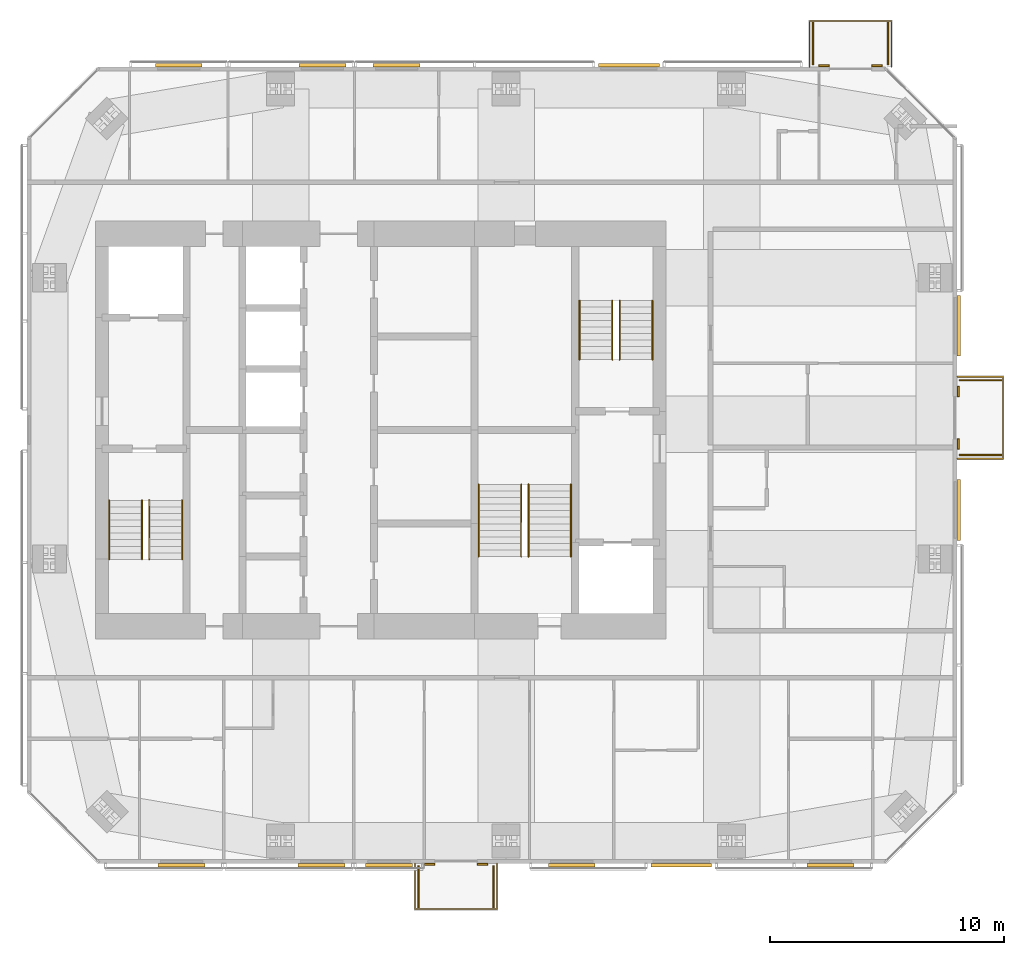
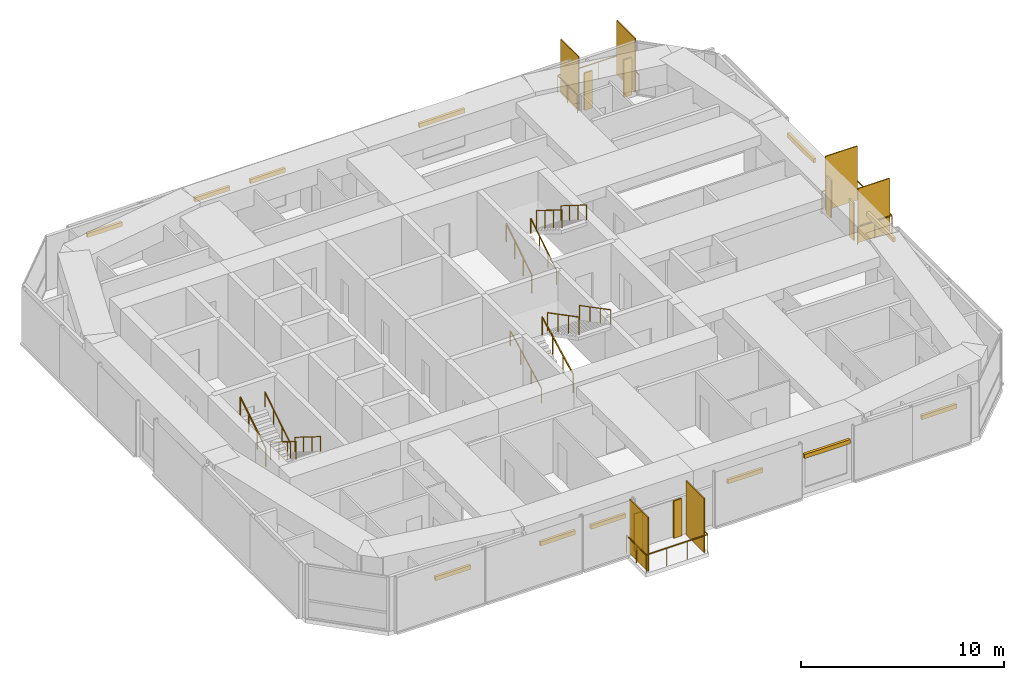
# One storey, part 18 of 18: 24 shading devices, 15 railings.
"""IFC4 building model written with IfcOpenShell, lengths in metres."""

from ifc_helpers import new_model, si_unit, direction, frame, origin, origin_2d, place, context, subcontext, project, spatial, rectangle, circle, extrude, material, layer, layer_set, constituent, constituent_set, type_object, element, save


model = new_model("IFC4")

# Units and contexts
model_context = context("Model", 3, precision=1e-05, world=origin(), true_north=direction((0.0, 1.0)))
body_context = subcontext(model_context, "Body", "Model", "MODEL_VIEW")
ifc_project = project(units=[si_unit("LENGTHUNIT", "METRE"), si_unit("AREAUNIT", "SQUARE_METRE"), si_unit("VOLUMEUNIT", "CUBIC_METRE"), si_unit("PLANEANGLEUNIT", "RADIAN"), si_unit("MASSUNIT", "GRAM", prefix="KILO")], contexts=[model_context])

# Site, building, storey
site_placement = place(None, origin())
site = spatial("IfcSite", under=ifc_project, at=site_placement, CompositionType="ELEMENT")
building_placement = place(site_placement, origin())
building = spatial("IfcBuilding", under=site, at=building_placement, Name="Jalousie Tower", CompositionType="ELEMENT")
storey_placement = place(building_placement, frame((0.0, 0.0, 256.449951171875)))
storey = spatial("IfcBuildingStorey", under=building, at=storey_placement, Name="L70", CompositionType="ELEMENT", Elevation=256.449951171875)

# Shading devices
ifc_material_1 = material(Name="Aluminium impact-rated louvred storm shutter", Category="aluminium")
shading_device_type_1 = type_object("IfcShadingDeviceType", Name="BI-FOLD STORM SHUTTER 900x2250", PredefinedType="SHUTTER", material=ifc_material_1)
for number, where, z_axis, x_axis, name in (
    (1, (33.985107421875, -0.0400390625, 0.0), (0.0, 0.0, 1.0), (1.0, 0.0, 0.0), "Balcony storm shutter L70"),
    (2, (36.235107421875, -0.0400390625, 0.0), (0.0, 0.0, 1.0), (1.0, 0.0, 0.0), "Balcony storm shutter L70"),
    (3, (56.5400390625, 17.89990234375, 0.0), (0.0, 0.0, 1.0), (0.0, 1.0, 0.0), "Balcony storm shutter L70"),
    (4, (56.5400390625, 20.14990234375, 0.0), (0.0, 0.0, 1.0), (0.0, 1.0, 0.0), "Balcony storm shutter L70"),
    (5, (53.07373046875, 34.0400390625, 0.0), (0.0, 0.0, 1.0), (-1.0, 0.0, 0.0), "Balcony storm shutter L70"),
    (6, (50.82373046875, 34.0400390625, 0.0), (0.0, 0.0, 1.0), (-1.0, 0.0, 0.0), "Balcony storm shutter L70"),
):
    element("IfcShadingDevice", number, at=place(storey_placement, frame(where, z_axis=z_axis, x_axis=x_axis)), inside=storey, type_object=shading_device_type_1, Name=name, PredefinedType="SHUTTER", context=body_context, shape_type="SweptSolid", body=[
        extrude(rectangle(XDim=0.449951171875, YDim=0.080078125, at=origin_2d()), origin(), (0.0, 0.0, 1.0), 2.25),
    ])

# Railings
ifc_material_2 = material(Name="Powder-coated aluminium fretwork", Category="aluminium")
railing_type_1 = type_object("IfcRailingType", Name="FRETWORK BALUSTRADE 1100", PredefinedType="BALUSTRADE", material=ifc_material_2)
railing_1_placement = place(storey_placement, frame((33.360107421875, 0.0, 0.0)))
element("IfcRailing", 7, at=railing_1_placement, inside=storey, type_object=railing_type_1, Name="Balcony fretwork balustrade L70", PredefinedType="BALUSTRADE", context=body_context, shape_type="SweptSolid", body=[
    extrude(rectangle(XDim=0.048095703125, YDim=0.048095703125, at=origin_2d()), frame((0.0, 0.0, 1.076171875), z_axis=(0.0, -1.0, 0.0), x_axis=(1.0, 0.0, 0.0)), (0.0, 0.0, 1.0), 1.949951171875),
    extrude(rectangle(XDim=0.048095703125, YDim=0.048095703125, at=origin_2d()), frame((0.0, -1.949951171875, 1.076171875), z_axis=(1.0, 0.0, 0.0), x_axis=(0.0, 1.0, 0.0)), (0.0, 0.0, 1.0), 3.5),
    extrude(rectangle(XDim=0.048095703125, YDim=0.048095703125, at=origin_2d()), frame((3.5, -1.949951171875, 1.076171875), z_axis=(0.0, 1.0, 0.0), x_axis=(-1.0, 0.0, 0.0)), (0.0, 0.0, 1.0), 1.949951171875),
    extrude(circle(Radius=0.02099609375, at=origin_2d()), origin(), (0.0, 0.0, 1.0), 1.052001953125),
    extrude(circle(Radius=0.02099609375, at=origin_2d()), frame((0.0, -0.97509765625, 0.0)), (0.0, 0.0, 1.0), 1.052001953125),
    extrude(circle(Radius=0.02099609375, at=origin_2d()), frame((0.0, -1.949951171875, 0.0)), (0.0, 0.0, 1.0), 1.052001953125),
    extrude(circle(Radius=0.02099609375, at=origin_2d()), frame((1.166748046875, -1.949951171875, 0.0)), (0.0, 0.0, 1.0), 1.052001953125),
    extrude(circle(Radius=0.02099609375, at=origin_2d()), frame((2.333251953125, -1.949951171875, 0.0)), (0.0, 0.0, 1.0), 1.052001953125),
    extrude(circle(Radius=0.02099609375, at=origin_2d()), frame((3.5, -1.949951171875, 0.0)), (0.0, 0.0, 1.0), 1.052001953125),
    extrude(circle(Radius=0.02099609375, at=origin_2d()), frame((3.5, -0.97509765625, 0.0)), (0.0, 0.0, 1.0), 1.052001953125),
    extrude(circle(Radius=0.02099609375, at=origin_2d()), frame((3.5, 0.0, 0.0)), (0.0, 0.0, 1.0), 1.052001953125),
])
railing_2_placement = place(storey_placement, frame((56.5, 17.27490234375, 0.0)))
element("IfcRailing", 8, at=railing_2_placement, inside=storey, type_object=railing_type_1, Name="Balcony fretwork balustrade L70", PredefinedType="BALUSTRADE", context=body_context, shape_type="SweptSolid", body=[
    extrude(rectangle(XDim=0.048095703125, YDim=0.048095703125, at=origin_2d()), frame((0.0, 0.0, 1.076171875), z_axis=(1.0, 0.0, 0.0), x_axis=(0.0, 1.0, 0.0)), (0.0, 0.0, 1.0), 1.949951171875),
    extrude(rectangle(XDim=0.048095703125, YDim=0.048095703125, at=origin_2d()), frame((1.949951171875, 0.0, 1.076171875), z_axis=(0.0, 1.0, 0.0), x_axis=(-1.0, 0.0, 0.0)), (0.0, 0.0, 1.0), 3.5),
    extrude(rectangle(XDim=0.048095703125, YDim=0.048095703125, at=origin_2d()), frame((1.949951171875, 3.5, 1.076171875), z_axis=(-1.0, 0.0, 0.0), x_axis=(0.0, -1.0, 0.0)), (0.0, 0.0, 1.0), 1.949951171875),
    extrude(circle(Radius=0.02099609375, at=origin_2d()), origin(), (0.0, 0.0, 1.0), 1.052001953125),
    extrude(circle(Radius=0.02099609375, at=origin_2d()), frame((0.97509765625, 0.0, 0.0)), (0.0, 0.0, 1.0), 1.052001953125),
    extrude(circle(Radius=0.02099609375, at=origin_2d()), frame((1.949951171875, 0.0, 0.0)), (0.0, 0.0, 1.0), 1.052001953125),
    extrude(circle(Radius=0.02099609375, at=origin_2d()), frame((1.949951171875, 1.166748046875, 0.0)), (0.0, 0.0, 1.0), 1.052001953125),
    extrude(circle(Radius=0.02099609375, at=origin_2d()), frame((1.949951171875, 2.333251953125, 0.0)), (0.0, 0.0, 1.0), 1.052001953125),
    extrude(circle(Radius=0.02099609375, at=origin_2d()), frame((1.949951171875, 3.5, 0.0)), (0.0, 0.0, 1.0), 1.052001953125),
    extrude(circle(Radius=0.02099609375, at=origin_2d()), frame((0.97509765625, 3.5, 0.0)), (0.0, 0.0, 1.0), 1.052001953125),
    extrude(circle(Radius=0.02099609375, at=origin_2d()), frame((0.0, 3.5, 0.0)), (0.0, 0.0, 1.0), 1.052001953125),
])
railing_3_placement = place(storey_placement, frame((53.69873046875, 34.0, 0.0)))
element("IfcRailing", 9, at=railing_3_placement, inside=storey, type_object=railing_type_1, Name="Balcony fretwork balustrade L70", PredefinedType="BALUSTRADE", context=body_context, shape_type="SweptSolid", body=[
    extrude(rectangle(XDim=0.048095703125, YDim=0.048095703125, at=origin_2d()), frame((0.0, 0.0, 1.076171875), z_axis=(0.0, 1.0, 0.0), x_axis=(-1.0, 0.0, 0.0)), (0.0, 0.0, 1.0), 1.949951171875),
    extrude(rectangle(XDim=0.048095703125, YDim=0.048095703125, at=origin_2d()), frame((0.0, 1.949951171875, 1.076171875), z_axis=(-1.0, 0.0, 0.0), x_axis=(0.0, -1.0, 0.0)), (0.0, 0.0, 1.0), 3.5),
    extrude(rectangle(XDim=0.048095703125, YDim=0.048095703125, at=origin_2d()), frame((-3.5, 1.949951171875, 1.076171875), z_axis=(0.0, -1.0, 0.0), x_axis=(1.0, 0.0, 0.0)), (0.0, 0.0, 1.0), 1.949951171875),
    extrude(circle(Radius=0.02099609375, at=origin_2d()), origin(), (0.0, 0.0, 1.0), 1.052001953125),
    extrude(circle(Radius=0.02099609375, at=origin_2d()), frame((0.0, 0.97509765625, 0.0)), (0.0, 0.0, 1.0), 1.052001953125),
    extrude(circle(Radius=0.02099609375, at=origin_2d()), frame((0.0, 1.949951171875, 0.0)), (0.0, 0.0, 1.0), 1.052001953125),
    extrude(circle(Radius=0.02099609375, at=origin_2d()), frame((-1.166748046875, 1.949951171875, 0.0)), (0.0, 0.0, 1.0), 1.052001953125),
    extrude(circle(Radius=0.02099609375, at=origin_2d()), frame((-2.333251953125, 1.949951171875, 0.0)), (0.0, 0.0, 1.0), 1.052001953125),
    extrude(circle(Radius=0.02099609375, at=origin_2d()), frame((-3.5, 1.949951171875, 0.0)), (0.0, 0.0, 1.0), 1.052001953125),
    extrude(circle(Radius=0.02099609375, at=origin_2d()), frame((-3.5, 0.97509765625, 0.0)), (0.0, 0.0, 1.0), 1.052001953125),
    extrude(circle(Radius=0.02099609375, at=origin_2d()), frame((-3.5, 0.0, 0.0)), (0.0, 0.0, 1.0), 1.052001953125),
])

# Shading devices
ifc_material_3 = material(Name="Powder-coated aluminium louvres", Category="aluminium")
ifc_layer = layer(ifc_material_3, 0.06005859375)
ifc_layer_set = layer_set([ifc_layer], Name="Powder-coated aluminium louvres")
shading_device_type_2 = type_object("IfcShadingDeviceType", Name="JALOUSIE LOUVRE SCREEN", PredefinedType="JALOUSIE", material=ifc_layer_set)
for number, where, z_axis, x_axis, name in (
    (10, (33.510009765625, -1.0, 0.0), (0.0, 0.0, 1.0), (1.0, 0.0, 0.0), "Jalousie louvre screen L70"),
    (11, (36.7099609375, -1.0, 0.0), (0.0, 0.0, 1.0), (1.0, 0.0, 0.0), "Jalousie louvre screen L70"),
    (12, (57.5, 17.425048828125, 0.0), (0.0, 0.0, 1.0), (0.0, 1.0, 0.0), "Jalousie louvre screen L70"),
    (13, (57.5, 20.625, 0.0), (0.0, 0.0, 1.0), (0.0, 1.0, 0.0), "Jalousie louvre screen L70"),
    (14, (53.548583984375, 35.0, 0.0), (0.0, 0.0, 1.0), (-1.0, 0.0, 0.0), "Jalousie louvre screen L70"),
    (15, (50.3486328125, 35.0, 0.0), (0.0, 0.0, 1.0), (-1.0, 0.0, 0.0), "Jalousie louvre screen L70"),
):
    element("IfcShadingDevice", number, at=place(storey_placement, frame(where, z_axis=z_axis, x_axis=x_axis)), inside=storey, type_object=shading_device_type_2, Name=name, PredefinedType="JALOUSIE", context=body_context, shape_type="SweptSolid", body=[
        extrude(rectangle(XDim=0.06005859375, YDim=1.800048828125, at=origin_2d()), origin(), (0.0, 0.0, 1.0), 3.260009765625),
    ])

# Railings
ifc_material_4 = material(Name="Steel ASTM A500 Grade C", Category="steel")
ifc_constituent_1 = constituent(ifc_material_4, Name="Body")
ifc_material_5 = material(Name="Hot-dip galvanised zinc coating")
ifc_constituent_2 = constituent(ifc_material_5, Name="Finish")
ifc_constituent_set_1 = constituent_set(constituents=[ifc_constituent_1, ifc_constituent_2])
railing_type_2 = type_object("IfcRailingType", Name="STAIR GUARD 1100", PredefinedType="GUARDRAIL", material=ifc_constituent_set_1)
railing_4_placement = place(storey_placement, frame((22.017578125, 15.49755859375, 0.175048828125)))
element("IfcRailing", 16, at=railing_4_placement, inside=storey, type_object=railing_type_2, Name="Exit stair A guard L70 flight 1", PredefinedType="GUARDRAIL", context=body_context, shape_type="SweptSolid", body=[
    extrude(rectangle(XDim=0.048095703125, YDim=0.048095703125, at=origin_2d()), frame((0.0, 0.0, 1.076171875), z_axis=(0.0, -0.848007534815, 0.529984170421), x_axis=(1.0, 0.0, 0.0)), (0.0, 0.0, 1.0), 2.9716796875),
    extrude(circle(Radius=0.02099609375, at=origin_2d()), origin(), (0.0, 0.0, 1.0), 1.052001953125),
    extrude(circle(Radius=0.02099609375, at=origin_2d()), frame((0.0, -0.840087890625, 0.52490234375)), (0.0, 0.0, 1.0), 1.052001953125),
    extrude(circle(Radius=0.02099609375, at=origin_2d()), frame((0.0, -1.679931640625, 1.050048828125)), (0.0, 0.0, 1.0), 1.052001953125),
    extrude(circle(Radius=0.02099609375, at=origin_2d()), frame((0.0, -2.52001953125, 1.574951171875)), (0.0, 0.0, 1.0), 1.052001953125),
])
for number, where, name in (
    (17, (20.304931640625, 12.9775390625, 1.925048828125), "Exit stair A guard L70 flight 2"),
    (18, (40.3798828125, 21.50244140625, 0.175048828125), "Exit stair B guard L70 flight 1"),
):
    element("IfcRailing", number, at=place(storey_placement, frame(where)), inside=storey, type_object=railing_type_2, Name=name, PredefinedType="GUARDRAIL", context=body_context, shape_type="SweptSolid", body=[
        extrude(rectangle(XDim=0.048095703125, YDim=0.048095703125, at=origin_2d()), frame((0.0, 0.0, 1.076171875), z_axis=(0.0, 0.848007534815, 0.529984170421), x_axis=(-1.0, 0.0, 0.0)), (0.0, 0.0, 1.0), 2.9716796875),
        extrude(circle(Radius=0.02099609375, at=origin_2d()), origin(), (0.0, 0.0, 1.0), 1.052001953125),
        extrude(circle(Radius=0.02099609375, at=origin_2d()), frame((0.0, 0.840087890625, 0.52490234375)), (0.0, 0.0, 1.0), 1.052001953125),
        extrude(circle(Radius=0.02099609375, at=origin_2d()), frame((0.0, 1.679931640625, 1.050048828125)), (0.0, 0.0, 1.0), 1.052001953125),
        extrude(circle(Radius=0.02099609375, at=origin_2d()), frame((0.0, 2.52001953125, 1.574951171875)), (0.0, 0.0, 1.0), 1.052001953125),
    ])
railing_5_placement = place(storey_placement, frame((42.092529296875, 24.0224609375, 1.925048828125)))
element("IfcRailing", 19, at=railing_5_placement, inside=storey, type_object=railing_type_2, Name="Exit stair B guard L70 flight 2", PredefinedType="GUARDRAIL", context=body_context, shape_type="SweptSolid", body=[
    extrude(rectangle(XDim=0.048095703125, YDim=0.048095703125, at=origin_2d()), frame((0.0, 0.0, 1.076171875), z_axis=(0.0, -0.848007534815, 0.529984170421), x_axis=(1.0, 0.0, 0.0)), (0.0, 0.0, 1.0), 2.9716796875),
    extrude(circle(Radius=0.02099609375, at=origin_2d()), origin(), (0.0, 0.0, 1.0), 1.052001953125),
    extrude(circle(Radius=0.02099609375, at=origin_2d()), frame((0.0, -0.840087890625, 0.52490234375)), (0.0, 0.0, 1.0), 1.052001953125),
    extrude(circle(Radius=0.02099609375, at=origin_2d()), frame((0.0, -1.679931640625, 1.050048828125)), (0.0, 0.0, 1.0), 1.052001953125),
    extrude(circle(Radius=0.02099609375, at=origin_2d()), frame((0.0, -2.52001953125, 1.574951171875)), (0.0, 0.0, 1.0), 1.052001953125),
])
railing_6_placement = place(storey_placement, frame((37.89501953125, 13.097412109375, 0.145751953125)))
element("IfcRailing", 20, at=railing_6_placement, inside=storey, type_object=railing_type_2, Name="Exit stair C guard L70 flight 1", PredefinedType="GUARDRAIL", context=body_context, shape_type="SweptSolid", body=[
    extrude(rectangle(XDim=0.048095703125, YDim=0.048095703125, at=origin_2d()), frame((0.0, 0.0, 1.076171875), z_axis=(0.0, 0.886909283822, 0.461943635383), x_axis=(-1.0, 0.0, 0.0)), (0.0, 0.0, 1.0), 3.472900390625),
    extrude(circle(Radius=0.02099609375, at=origin_2d()), origin(), (0.0, 0.0, 1.0), 1.052001953125),
    extrude(circle(Radius=0.02099609375, at=origin_2d()), frame((0.0, 1.026611328125, 0.53466796875)), (0.0, 0.0, 1.0), 1.052001953125),
    extrude(circle(Radius=0.02099609375, at=origin_2d()), frame((0.0, 2.053466796875, 1.069580078125)), (0.0, 0.0, 1.0), 1.052001953125),
    extrude(circle(Radius=0.02099609375, at=origin_2d()), frame((0.0, 3.080078125, 1.604248046875)), (0.0, 0.0, 1.0), 1.052001953125),
])
railing_7_placement = place(storey_placement, frame((38.205078125, 16.177490234375, 1.895751953125)))
element("IfcRailing", 21, at=railing_7_placement, inside=storey, type_object=railing_type_2, Name="Exit stair C guard L70 flight 2", PredefinedType="GUARDRAIL", context=body_context, shape_type="SweptSolid", body=[
    extrude(rectangle(XDim=0.048095703125, YDim=0.048095703125, at=origin_2d()), frame((0.0, 0.0, 1.076171875), z_axis=(0.0, -0.886909283822, 0.461943635383), x_axis=(1.0, 0.0, 0.0)), (0.0, 0.0, 1.0), 3.472900390625),
    extrude(circle(Radius=0.02099609375, at=origin_2d()), origin(), (0.0, 0.0, 1.0), 1.052001953125),
    extrude(circle(Radius=0.02099609375, at=origin_2d()), frame((0.0, -1.026611328125, 0.53466796875)), (0.0, 0.0, 1.0), 1.052001953125),
    extrude(circle(Radius=0.02099609375, at=origin_2d()), frame((0.0, -2.053466796875, 1.069580078125)), (0.0, 0.0, 1.0), 1.052001953125),
    extrude(circle(Radius=0.02099609375, at=origin_2d()), frame((0.0, -3.080078125, 1.604248046875)), (0.0, 0.0, 1.0), 1.052001953125),
])
ifc_material_6 = material(Name="Steel ASTM A500 Grade C", Category="steel")
ifc_constituent_3 = constituent(ifc_material_6, Name="Body")
ifc_material_7 = material(Name="Hot-dip galvanised zinc coating")
ifc_constituent_4 = constituent(ifc_material_7, Name="Finish")
ifc_constituent_set_2 = constituent_set(constituents=[ifc_constituent_3, ifc_constituent_4])
railing_type_3 = type_object("IfcRailingType", Name="STAIR HANDRAIL 900", PredefinedType="HANDRAIL", material=ifc_constituent_set_2)
railing_8_placement = place(storey_placement, frame((23.420166015625, 15.49755859375, 0.175048828125)))
element("IfcRailing", 22, at=railing_8_placement, inside=storey, type_object=railing_type_3, Name="Exit stair A handrail L70 flight 1", PredefinedType="HANDRAIL", context=body_context, shape_type="SweptSolid", body=[
    extrude(circle(Radius=0.02392578125, at=origin_2d()), frame((0.0, 0.0, 0.8759765625), z_axis=(0.0, -0.848007534815, 0.529984170421), x_axis=(1.0, 0.0, 0.0)), (0.0, 0.0, 1.0), 2.9716796875),
    extrude(circle(Radius=0.02099609375, at=origin_2d()), origin(), (0.0, 0.0, 1.0), 0.851806640625),
    extrude(circle(Radius=0.02099609375, at=origin_2d()), frame((0.0, -0.840087890625, 0.52490234375)), (0.0, 0.0, 1.0), 0.851806640625),
    extrude(circle(Radius=0.02099609375, at=origin_2d()), frame((0.0, -1.679931640625, 1.050048828125)), (0.0, 0.0, 1.0), 0.851806640625),
    extrude(circle(Radius=0.02099609375, at=origin_2d()), frame((0.0, -2.52001953125, 1.574951171875)), (0.0, 0.0, 1.0), 0.851806640625),
])
for number, where, name in (
    (23, (21.70751953125, 12.9775390625, 1.925048828125), "Exit stair A handrail L70 flight 2"),
    (24, (41.782470703125, 21.50244140625, 0.175048828125), "Exit stair B handrail L70 flight 1"),
):
    element("IfcRailing", number, at=place(storey_placement, frame(where)), inside=storey, type_object=railing_type_3, Name=name, PredefinedType="HANDRAIL", context=body_context, shape_type="SweptSolid", body=[
        extrude(circle(Radius=0.02392578125, at=origin_2d()), frame((0.0, 0.0, 0.8759765625), z_axis=(0.0, 0.848007534815, 0.529984170421), x_axis=(-1.0, 0.0, 0.0)), (0.0, 0.0, 1.0), 2.9716796875),
        extrude(circle(Radius=0.02099609375, at=origin_2d()), origin(), (0.0, 0.0, 1.0), 0.851806640625),
        extrude(circle(Radius=0.02099609375, at=origin_2d()), frame((0.0, 0.840087890625, 0.52490234375)), (0.0, 0.0, 1.0), 0.851806640625),
        extrude(circle(Radius=0.02099609375, at=origin_2d()), frame((0.0, 1.679931640625, 1.050048828125)), (0.0, 0.0, 1.0), 0.851806640625),
        extrude(circle(Radius=0.02099609375, at=origin_2d()), frame((0.0, 2.52001953125, 1.574951171875)), (0.0, 0.0, 1.0), 0.851806640625),
    ])
railing_9_placement = place(storey_placement, frame((43.4951171875, 24.0224609375, 1.925048828125)))
element("IfcRailing", 25, at=railing_9_placement, inside=storey, type_object=railing_type_3, Name="Exit stair B handrail L70 flight 2", PredefinedType="HANDRAIL", context=body_context, shape_type="SweptSolid", body=[
    extrude(circle(Radius=0.02392578125, at=origin_2d()), frame((0.0, 0.0, 0.8759765625), z_axis=(0.0, -0.848007534815, 0.529984170421), x_axis=(1.0, 0.0, 0.0)), (0.0, 0.0, 1.0), 2.9716796875),
    extrude(circle(Radius=0.02099609375, at=origin_2d()), origin(), (0.0, 0.0, 1.0), 0.851806640625),
    extrude(circle(Radius=0.02099609375, at=origin_2d()), frame((0.0, -0.840087890625, 0.52490234375)), (0.0, 0.0, 1.0), 0.851806640625),
    extrude(circle(Radius=0.02099609375, at=origin_2d()), frame((0.0, -1.679931640625, 1.050048828125)), (0.0, 0.0, 1.0), 0.851806640625),
    extrude(circle(Radius=0.02099609375, at=origin_2d()), frame((0.0, -2.52001953125, 1.574951171875)), (0.0, 0.0, 1.0), 0.851806640625),
])
railing_10_placement = place(storey_placement, frame((36.080078125, 13.097412109375, 0.145751953125)))
element("IfcRailing", 26, at=railing_10_placement, inside=storey, type_object=railing_type_3, Name="Exit stair C handrail L70 flight 1", PredefinedType="HANDRAIL", context=body_context, shape_type="SweptSolid", body=[
    extrude(circle(Radius=0.02392578125, at=origin_2d()), frame((0.0, 0.0, 0.8759765625), z_axis=(0.0, 0.886909283822, 0.461943635383), x_axis=(-1.0, 0.0, 0.0)), (0.0, 0.0, 1.0), 3.472900390625),
    extrude(circle(Radius=0.02099609375, at=origin_2d()), origin(), (0.0, 0.0, 1.0), 0.851806640625),
    extrude(circle(Radius=0.02099609375, at=origin_2d()), frame((0.0, 1.026611328125, 0.53466796875)), (0.0, 0.0, 1.0), 0.851806640625),
    extrude(circle(Radius=0.02099609375, at=origin_2d()), frame((0.0, 2.053466796875, 1.069580078125)), (0.0, 0.0, 1.0), 0.851806640625),
    extrude(circle(Radius=0.02099609375, at=origin_2d()), frame((0.0, 3.080078125, 1.604248046875)), (0.0, 0.0, 1.0), 0.851806640625),
])
railing_11_placement = place(storey_placement, frame((40.02001953125, 16.177490234375, 1.895751953125)))
element("IfcRailing", 27, at=railing_11_placement, inside=storey, type_object=railing_type_3, Name="Exit stair C handrail L70 flight 2", PredefinedType="HANDRAIL", context=body_context, shape_type="SweptSolid", body=[
    extrude(circle(Radius=0.02392578125, at=origin_2d()), frame((0.0, 0.0, 0.8759765625), z_axis=(0.0, -0.886909283822, 0.461943635383), x_axis=(1.0, 0.0, 0.0)), (0.0, 0.0, 1.0), 3.472900390625),
    extrude(circle(Radius=0.02099609375, at=origin_2d()), origin(), (0.0, 0.0, 1.0), 0.851806640625),
    extrude(circle(Radius=0.02099609375, at=origin_2d()), frame((0.0, -1.026611328125, 0.53466796875)), (0.0, 0.0, 1.0), 0.851806640625),
    extrude(circle(Radius=0.02099609375, at=origin_2d()), frame((0.0, -2.053466796875, 1.069580078125)), (0.0, 0.0, 1.0), 0.851806640625),
    extrude(circle(Radius=0.02099609375, at=origin_2d()), frame((0.0, -3.080078125, 1.604248046875)), (0.0, 0.0, 1.0), 0.851806640625),
])

# Shading devices
ifc_material_8 = material(Name="Aluminium roller storm shutter", Category="aluminium")
shading_device_type_3 = type_object("IfcShadingDeviceType", Name="STORM SHUTTER HOUSING", PredefinedType="SHUTTER", material=ifc_material_8)
for number, where, z_axis, x_axis, name in (
    (28, (23.39990234375, -0.074951171875, 2.25), (0.0, 0.0, 1.0), (1.0, 0.0, 0.0), "Storm shutter L70"),
    (29, (29.376220703125, -0.074951171875, 2.25), (0.0, 0.0, 1.0), (1.0, 0.0, 0.0), "Storm shutter L70"),
    (30, (32.25, -0.074951171875, 2.25), (0.0, 0.0, 1.0), (1.0, 0.0, 0.0), "Storm shutter L70"),
    (31, (40.050048828125, -0.074951171875, 2.25), (0.0, 0.0, 1.0), (1.0, 0.0, 0.0), "Storm shutter L70"),
):
    element("IfcShadingDevice", number, at=place(storey_placement, frame(where, z_axis=z_axis, x_axis=x_axis)), inside=storey, type_object=shading_device_type_3, Name=name, PredefinedType="SHUTTER", context=body_context, shape_type="SweptSolid", body=[
        extrude(rectangle(XDim=2.0, YDim=0.14990234375, at=origin_2d()), origin(), (0.0, 0.0, 1.0), 0.25),
    ])
shading_device_1_placement = place(storey_placement, frame((44.72509765625, -0.074951171875, 2.25), z_axis=(0.0, 0.0, 1.0), x_axis=(1.0, 0.0, 0.0)))
element("IfcShadingDevice", 32, at=shading_device_1_placement, inside=storey, type_object=shading_device_type_3, Name="Storm shutter L70", PredefinedType="SHUTTER", context=body_context, shape_type="SweptSolid", body=[
    extrude(rectangle(XDim=2.60009765625, YDim=0.14990234375, at=origin_2d()), origin(), (0.0, 0.0, 1.0), 0.25),
])
shading_device_2_placement = place(storey_placement, frame((51.10009765625, -0.074951171875, 2.25), z_axis=(0.0, 0.0, 1.0), x_axis=(1.0, 0.0, 0.0)))
element("IfcShadingDevice", 33, at=shading_device_2_placement, inside=storey, type_object=shading_device_type_3, Name="Storm shutter L70", PredefinedType="SHUTTER", context=body_context, shape_type="SweptSolid", body=[
    extrude(rectangle(XDim=2.0, YDim=0.14990234375, at=origin_2d()), origin(), (0.0, 0.0, 1.0), 0.25),
])
for number, where, z_axis, x_axis, name in (
    (34, (56.574951171875, 15.081787109375, 2.25), (0.0, 0.0, 1.0), (0.0, 1.0, 0.0), "Storm shutter L70"),
    (35, (56.574951171875, 22.949951171875, 2.25), (0.0, 0.0, 1.0), (0.0, 1.0, 0.0), "Storm shutter L70"),
    (36, (42.48876953125, 34.074951171875, 2.25), (0.0, 0.0, 1.0), (-1.0, 0.0, 0.0), "Storm shutter L70"),
):
    element("IfcShadingDevice", number, at=place(storey_placement, frame(where, z_axis=z_axis, x_axis=x_axis)), inside=storey, type_object=shading_device_type_3, Name=name, PredefinedType="SHUTTER", context=body_context, shape_type="SweptSolid", body=[
        extrude(rectangle(XDim=2.60009765625, YDim=0.14990234375, at=origin_2d()), origin(), (0.0, 0.0, 1.0), 0.25),
    ])
for number, where, z_axis, x_axis, name in (
    (37, (32.574951171875, 34.074951171875, 2.25), (0.0, 0.0, 1.0), (-1.0, 0.0, 0.0), "Storm shutter L70"),
    (38, (29.405029296875, 34.074951171875, 2.25), (0.0, 0.0, 1.0), (-1.0, 0.0, 0.0), "Storm shutter L70"),
    (39, (23.275634765625, 34.074951171875, 2.25), (0.0, 0.0, 1.0), (-1.0, 0.0, 0.0), "Storm shutter L70"),
):
    element("IfcShadingDevice", number, at=place(storey_placement, frame(where, z_axis=z_axis, x_axis=x_axis)), inside=storey, type_object=shading_device_type_3, Name=name, PredefinedType="SHUTTER", context=body_context, shape_type="SweptSolid", body=[
        extrude(rectangle(XDim=2.0, YDim=0.14990234375, at=origin_2d()), origin(), (0.0, 0.0, 1.0), 0.25),
    ])

save(model, "model.ifc")
